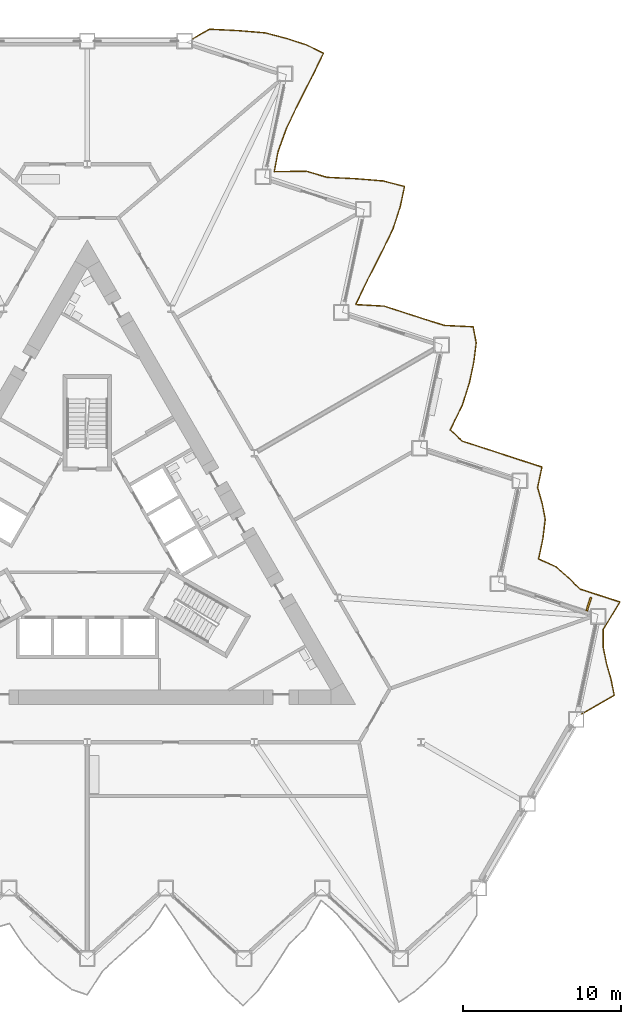
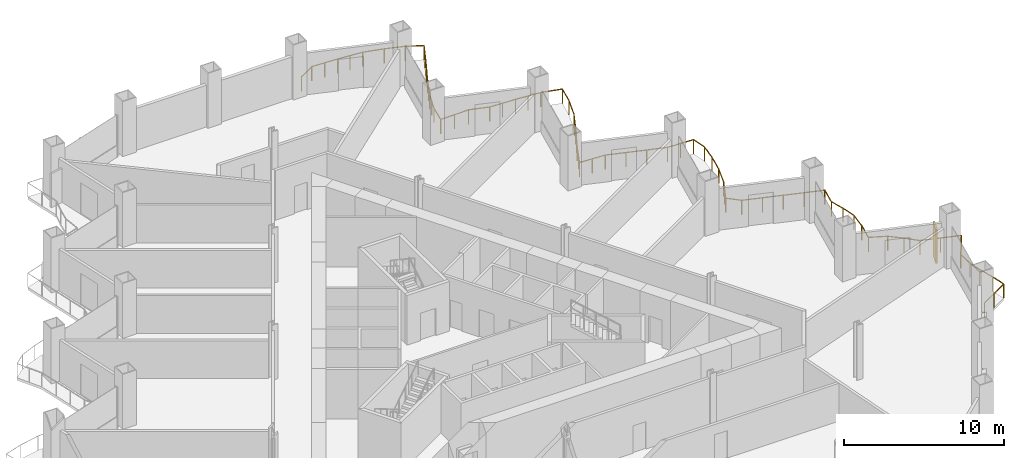
# One storey, part 19 of 21: 1 railing, 1 shading device.
"""IFC4 building model written with IfcOpenShell, lengths in metres."""

from ifc_helpers import new_model, si_unit, direction, frame, origin, origin_2d, place, context, subcontext, project, spatial, rectangle, circle, extrude, material, layer, layer_set, type_object, element, save


model = new_model("IFC4")

# Units and contexts
model_context = context("Model", 3, precision=1e-05, world=origin(), true_north=direction((0.0, 1.0)))
body_context = subcontext(model_context, "Body", "Model", "MODEL_VIEW")
ifc_project = project(units=[si_unit("LENGTHUNIT", "METRE"), si_unit("AREAUNIT", "SQUARE_METRE"), si_unit("VOLUMEUNIT", "CUBIC_METRE"), si_unit("PLANEANGLEUNIT", "RADIAN"), si_unit("MASSUNIT", "GRAM", prefix="KILO")], contexts=[model_context])

# Site, building, storey
site_placement = place(None, origin())
site = spatial("IfcSite", under=ifc_project, at=site_placement, CompositionType="ELEMENT")
building_placement = place(site_placement, origin())
building = spatial("IfcBuilding", under=site, at=building_placement, Name="Cormorant Prow Tower", CompositionType="ELEMENT")
storey_placement = place(building_placement, frame((0.0, 0.0, 80.39990234375)))
storey = spatial("IfcBuildingStorey", under=building, at=storey_placement, Name="L17", CompositionType="ELEMENT", Elevation=80.39990234375)

# Railing
ifc_material_1 = material(Name="Aluminium 6063-T6", Category="aluminium")
railing_type = type_object("IfcRailingType", Name="Balcony guard 1100", PredefinedType="GUARDRAIL", material=ifc_material_1)
railing_placement = place(storey_placement, frame((31.3291015625, -10.435791015625, 0.0)))
element("IfcRailing", 1, at=railing_placement, inside=storey, type_object=railing_type, Name="Balcony guard ENE", PredefinedType="GUARDRAIL", context=body_context, shape_type="SweptSolid", body=[
    extrude(circle(Radius=0.02392578125, at=origin_2d()), frame((0.0, 0.0, 1.076171875), z_axis=(0.866028295127, 0.499994992015, 0.0), x_axis=(-0.499994992015, 0.866028295127, 0.0)), (0.0, 0.0, 1.0), 2.40380859375),
    extrude(circle(Radius=0.02392578125, at=origin_2d()), frame((2.081787109375, 1.201904296875, 1.076171875), z_axis=(-0.198908748449, 0.980018015034, 0.0), x_axis=(-0.980018015034, -0.198908748449, 0.0)), (0.0, 0.0, 1.0), 1.0419921875),
    extrude(circle(Radius=0.02392578125, at=origin_2d()), frame((1.87451171875, 2.22314453125, 1.076171875), z_axis=(-0.277475706579, 0.960732653894, 0.0), x_axis=(-0.960732653894, -0.277475706579, 0.0)), (0.0, 0.0, 1.0), 1.01806640625),
    extrude(circle(Radius=0.02392578125, at=origin_2d()), frame((1.592041015625, 3.201171875, 1.076171875), z_axis=(-0.200171251188, 0.979760925021, 0.0), x_axis=(-0.979760925021, -0.200171251188, 0.0)), (0.0, 0.0, 1.0), 1.04150390625),
    extrude(circle(Radius=0.02392578125, at=origin_2d()), frame((1.383544921875, 4.2216796875, 1.076171875), z_axis=(-0.004720977432, 0.999988856124, 0.0), x_axis=(-0.999988856124, -0.004720977432, 0.0)), (0.0, 0.0, 1.0), 1.1376953125),
    extrude(circle(Radius=0.02392578125, at=origin_2d()), frame((1.378173828125, 5.359375, 1.076171875), z_axis=(0.517541068075, 0.855658368074, 0.0), x_axis=(-0.855658368074, 0.517541068075, 0.0)), (0.0, 0.0, 1.0), 2.04931640625),
    extrude(circle(Radius=0.02392578125, at=origin_2d()), frame((2.438720703125, 7.11279296875, 1.076171875), z_axis=(-0.951043514724, 0.309057006233, 0.0), x_axis=(-0.309057006233, -0.951043514724, 0.0)), (0.0, 0.0, 1.0), 1.32958984375),
    extrude(circle(Radius=0.02392578125, at=origin_2d()), frame((1.17431640625, 7.523681640625, 1.076171875), z_axis=(-0.951061050214, 0.30900304006, 0.0), x_axis=(-0.30900304006, -0.951061050214, 0.0)), (0.0, 0.0, 1.0), 1.329833984375),
    extrude(circle(Radius=0.02392578125, at=origin_2d()), frame((-0.09033203125, 7.9345703125, 1.076171875), z_axis=(-0.717371019466, 0.69669133799, 0.0), x_axis=(-0.69669133799, -0.717371019466, 0.0)), (0.0, 0.0, 1.0), 1.027099609375),
    extrude(circle(Radius=0.02392578125, at=origin_2d()), frame((-0.8271484375, 8.650146484375, 1.076171875), z_axis=(-0.746748818819, 0.665106158138, 0.0), x_axis=(-0.665106158138, -0.746748818819, 0.0)), (0.0, 0.0, 1.0), 1.04052734375),
    extrude(circle(Radius=0.02392578125, at=origin_2d()), frame((-1.604248046875, 9.34228515625, 1.076171875), z_axis=(-0.911925256082, 0.410356341877, 0.0), x_axis=(-0.410356341877, -0.911925256082, 0.0)), (0.0, 0.0, 1.0), 1.2177734375),
    extrude(circle(Radius=0.02392578125, at=origin_2d()), frame((-2.71484375, 9.842041015625, 1.076171875), z_axis=(0.208036630987, 0.978121035541, 0.0), x_axis=(-0.978121035541, 0.208036630987, 0.0)), (0.0, 0.0, 1.0), 1.32958984375),
    extrude(circle(Radius=0.02392578125, at=origin_2d()), frame((-2.438232421875, 11.142578125, 1.076171875), z_axis=(0.118115347532, 0.992999881509, 0.0), x_axis=(-0.992999881509, 0.118115347532, 0.0)), (0.0, 0.0, 1.0), 1.23388671875),
    extrude(circle(Radius=0.02392578125, at=origin_2d()), frame((-2.29248046875, 12.367919921875, 1.076171875), z_axis=(-0.193641917356, 0.981072274526, 0.0), x_axis=(-0.981072274526, -0.193641917356, 0.0)), (0.0, 0.0, 1.0), 1.0439453125),
    extrude(circle(Radius=0.02392578125, at=origin_2d()), frame((-2.49462890625, 13.39208984375, 1.076171875), z_axis=(-0.277539652821, 0.960714182841, 0.0), x_axis=(-0.960714182841, -0.277539652821, 0.0)), (0.0, 0.0, 1.0), 1.017822265625),
    extrude(circle(Radius=0.02392578125, at=origin_2d()), frame((-2.777099609375, 14.369873046875, 1.076171875), z_axis=(0.207232499737, 0.978291720834, 0.0), x_axis=(-0.978291720834, 0.207232499737, 0.0)), (0.0, 0.0, 1.0), 1.328857421875),
    extrude(circle(Radius=0.02392578125, at=origin_2d()), frame((-2.501708984375, 15.669921875, 1.076171875), z_axis=(-0.951043514724, 0.309057006233, 0.0), x_axis=(-0.309057006233, -0.951043514724, 0.0)), (0.0, 0.0, 1.0), 1.32958984375),
    extrude(circle(Radius=0.02392578125, at=origin_2d()), frame((-3.76611328125, 16.080810546875, 1.076171875), z_axis=(-0.951061050214, 0.30900304006, 0.0), x_axis=(-0.30900304006, -0.951061050214, 0.0)), (0.0, 0.0, 1.0), 1.329833984375),
    extrude(circle(Radius=0.02392578125, at=origin_2d()), frame((-5.03076171875, 16.49169921875, 1.076171875), z_axis=(-0.951061050214, 0.30900304006, 0.0), x_axis=(-0.30900304006, -0.951061050214, 0.0)), (0.0, 0.0, 1.0), 1.329833984375),
    extrude(circle(Radius=0.02392578125, at=origin_2d()), frame((-6.29541015625, 16.902587890625, 1.076171875), z_axis=(-0.951097478382, 0.308890897594, 0.0), x_axis=(-0.308890897594, -0.951097478382, 0.0)), (0.0, 0.0, 1.0), 1.329345703125),
    extrude(circle(Radius=0.02392578125, at=origin_2d()), frame((-7.559814453125, 17.313232421875, 1.076171875), z_axis=(-0.731023839437, 0.682351922526, 0.0), x_axis=(-0.682351922526, -0.731023839437, 0.0)), (0.0, 0.0, 1.0), 1.033203125),
    extrude(circle(Radius=0.02392578125, at=origin_2d()), frame((-8.315185546875, 18.018310546875, 1.076171875), z_axis=(0.436535384225, 0.899687089115, 0.0), x_axis=(-0.899687089115, 0.436535384225, 0.0)), (0.0, 0.0, 1.0), 1.76123046875),
    extrude(circle(Radius=0.02392578125, at=origin_2d()), frame((-7.54638671875, 19.602783203125, 1.076171875), z_axis=(0.302860020499, 0.953035050763, 0.0), x_axis=(-0.953035050763, 0.302860020499, 0.0)), (0.0, 0.0, 1.0), 1.46630859375),
    extrude(circle(Radius=0.02392578125, at=origin_2d()), frame((-7.102294921875, 21.000244140625, 1.076171875), z_axis=(0.207860951936, 0.978158384241, 0.0), x_axis=(-0.978158384241, 0.207860951936, 0.0)), (0.0, 0.0, 1.0), 1.32958984375),
    extrude(circle(Radius=0.02392578125, at=origin_2d()), frame((-6.825927734375, 22.30078125, 1.076171875), z_axis=(0.127852937059, 0.991793136942, 0.0), x_axis=(-0.991793136942, 0.127852937059, 0.0)), (0.0, 0.0, 1.0), 1.2431640625),
    extrude(circle(Radius=0.02392578125, at=origin_2d()), frame((-6.6669921875, 23.53369140625, 1.076171875), z_axis=(-0.188388479426, 0.98209458853, 0.0), x_axis=(-0.98209458853, -0.188388479426, 0.0)), (0.0, 0.0, 1.0), 1.0458984375),
    extrude(circle(Radius=0.02392578125, at=origin_2d()), frame((-6.864013671875, 24.560791015625, 1.076171875), z_axis=(-0.998826913271, 0.048423107353, 0.0), x_axis=(-0.048423107353, -0.998826913271, 0.0)), (0.0, 0.0, 1.0), 1.8251953125),
    extrude(circle(Radius=0.02392578125, at=origin_2d()), frame((-8.68701171875, 24.649169921875, 1.076171875), z_axis=(-0.954879659628, 0.296992989192, 0.0), x_axis=(-0.296992989192, -0.954879659628, 0.0)), (0.0, 0.0, 1.0), 1.344970703125),
    extrude(circle(Radius=0.02392578125, at=origin_2d()), frame((-9.97119140625, 25.048583984375, 1.076171875), z_axis=(-0.951043514724, 0.309057006233, 0.0), x_axis=(-0.309057006233, -0.951043514724, 0.0)), (0.0, 0.0, 1.0), 1.32958984375),
    extrude(circle(Radius=0.02392578125, at=origin_2d()), frame((-11.235595703125, 25.45947265625, 1.076171875), z_axis=(-0.951061050214, 0.30900304006, 0.0), x_axis=(-0.30900304006, -0.951061050214, 0.0)), (0.0, 0.0, 1.0), 1.329833984375),
    extrude(circle(Radius=0.02392578125, at=origin_2d()), frame((-12.500244140625, 25.870361328125, 1.076171875), z_axis=(-0.998462432525, 0.055432579192, 0.0), x_axis=(-0.055432579192, -0.998462432525, 0.0)), (0.0, 0.0, 1.0), 1.8056640625),
    extrude(circle(Radius=0.02392578125, at=origin_2d()), frame((-14.30322265625, 25.970458984375, 1.076171875), z_axis=(0.429285653176, 0.903168770484, 0.0), x_axis=(-0.903168770484, 0.429285653176, 0.0)), (0.0, 0.0, 1.0), 1.74072265625),
    extrude(circle(Radius=0.02392578125, at=origin_2d()), frame((-13.555908203125, 27.542724609375, 1.076171875), z_axis=(0.457351035124, 0.889286247881, 0.0), x_axis=(-0.889286247881, 0.457351035124, 0.0)), (0.0, 0.0, 1.0), 1.8251953125),
    extrude(circle(Radius=0.02392578125, at=origin_2d()), frame((-12.72119140625, 29.165771484375, 1.076171875), z_axis=(0.437952229279, 0.898998245198, 0.0), x_axis=(-0.898998245198, 0.437952229279, 0.0)), (0.0, 0.0, 1.0), 1.765380859375),
    extrude(circle(Radius=0.02392578125, at=origin_2d()), frame((-11.947998046875, 30.7529296875, 1.076171875), z_axis=(0.309829124823, 0.950792255654, 0.0), x_axis=(-0.950792255654, 0.309829124823, 0.0)), (0.0, 0.0, 1.0), 1.478271484375),
    extrude(circle(Radius=0.02392578125, at=origin_2d()), frame((-11.489990234375, 32.158447265625, 1.076171875), z_axis=(0.208036630987, 0.978121035541, 0.0), x_axis=(-0.978121035541, 0.208036630987, 0.0)), (0.0, 0.0, 1.0), 1.32958984375),
    extrude(circle(Radius=0.02392578125, at=origin_2d()), frame((-11.21337890625, 33.458984375, 1.076171875), z_axis=(-0.96874480465, 0.248059475656, 0.0), x_axis=(-0.248059475656, -0.96874480465, 0.0)), (0.0, 0.0, 1.0), 1.413330078125),
    extrude(circle(Radius=0.02392578125, at=origin_2d()), frame((-12.58251953125, 33.8095703125, 1.076171875), z_axis=(-0.996734854111, 0.080744229517, 0.0), x_axis=(-0.080744229517, -0.996734854111, 0.0)), (0.0, 0.0, 1.0), 1.738525390625),
    extrude(circle(Radius=0.02392578125, at=origin_2d()), frame((-14.3154296875, 33.949951171875, 1.076171875), z_axis=(-0.998819803639, 0.048569536332, 0.0), x_axis=(-0.048569536332, -0.998819803639, 0.0)), (0.0, 0.0, 1.0), 1.82470703125),
    extrude(circle(Radius=0.02392578125, at=origin_2d()), frame((-16.137939453125, 34.03857421875, 1.076171875), z_axis=(-0.958210932338, 0.286062596554, 0.0), x_axis=(-0.286062596554, -0.958210932338, 0.0)), (0.0, 0.0, 1.0), 1.359619140625),
    extrude(circle(Radius=0.02392578125, at=origin_2d()), frame((-17.440673828125, 34.427490234375, 1.076171875), z_axis=(-0.999874289422, -0.015855767204, 0.0), x_axis=(0.015855767204, -0.999874289422, 0.0)), (0.0, 0.0, 1.0), 2.032470703125),
    extrude(circle(Radius=0.02392578125, at=origin_2d()), frame((-19.472900390625, 34.395263671875, 1.076171875), z_axis=(0.186638964407, 0.982428570923, 0.0), x_axis=(-0.982428570923, 0.186638964407, 0.0)), (0.0, 0.0, 1.0), 1.30419921875),
    extrude(circle(Radius=0.02392578125, at=origin_2d()), frame((-19.2294921875, 35.676513671875, 1.076171875), z_axis=(0.342074570085, 0.939672809281, 0.0), x_axis=(-0.939672809281, 0.342074570085, 0.0)), (0.0, 0.0, 1.0), 1.537353515625),
    extrude(circle(Radius=0.02392578125, at=origin_2d()), frame((-18.70361328125, 37.12109375, 1.076171875), z_axis=(0.427475740136, 0.904026820175, 0.0), x_axis=(-0.904026820175, 0.427475740136, 0.0)), (0.0, 0.0, 1.0), 1.736328125),
    extrude(circle(Radius=0.02392578125, at=origin_2d()), frame((-17.96142578125, 38.690673828125, 1.076171875), z_axis=(0.457196798991, 0.889365553073, 0.0), x_axis=(-0.889365553073, 0.457196798991, 0.0)), (0.0, 0.0, 1.0), 1.82421875),
    extrude(circle(Radius=0.02392578125, at=origin_2d()), frame((-17.12744140625, 40.31298828125, 1.076171875), z_axis=(0.439306608909, 0.898337188014, 0.0), x_axis=(-0.898337188014, 0.439306608909, 0.0)), (0.0, 0.0, 1.0), 1.77001953125),
    extrude(circle(Radius=0.02392578125, at=origin_2d()), frame((-16.349853515625, 41.903076171875, 1.076171875), z_axis=(-0.897887336001, 0.44022531941, 0.0), x_axis=(-0.44022531941, -0.897887336001, 0.0)), (0.0, 0.0, 1.0), 1.190185546875),
    extrude(circle(Radius=0.02392578125, at=origin_2d()), frame((-17.41845703125, 42.427001953125, 1.076171875), z_axis=(-0.951043514724, 0.309057006233, 0.0), x_axis=(-0.309057006233, -0.951043514724, 0.0)), (0.0, 0.0, 1.0), 1.32958984375),
    extrude(circle(Radius=0.02392578125, at=origin_2d()), frame((-18.682861328125, 42.837890625, 1.076171875), z_axis=(-0.966950432285, 0.254964431839, 0.0), x_axis=(-0.254964431839, -0.966950432285, 0.0)), (0.0, 0.0, 1.0), 1.40283203125),
    extrude(circle(Radius=0.02392578125, at=origin_2d()), frame((-20.039306640625, 43.195556640625, 1.076171875), z_axis=(-0.996565156823, 0.082812367469, 0.0), x_axis=(-0.082812367469, -0.996565156823, 0.0)), (0.0, 0.0, 1.0), 1.7333984375),
    extrude(circle(Radius=0.02392578125, at=origin_2d()), frame((-21.766845703125, 43.339111328125, 1.076171875), z_axis=(-0.998805828318, 0.048856087823, 0.0), x_axis=(-0.048856087823, -0.998805828318, 0.0)), (0.0, 0.0, 1.0), 1.823974609375),
    extrude(circle(Radius=0.02392578125, at=origin_2d()), frame((-23.588623046875, 43.42822265625, 1.076171875), z_axis=(-0.86604962328, -0.499958048256, 0.0), x_axis=(0.499958048256, -0.86604962328, 0.0)), (0.0, 0.0, 1.0), 1.28564453125),
    extrude(circle(Radius=0.02099609375, at=origin_2d()), origin(), (0.0, 0.0, 1.0), 1.052001953125),
    extrude(circle(Radius=0.02099609375, at=origin_2d()), frame((1.041015625, 0.60107421875, 0.0)), (0.0, 0.0, 1.0), 1.052001953125),
    extrude(circle(Radius=0.02099609375, at=origin_2d()), frame((2.081787109375, 1.201904296875, 0.0)), (0.0, 0.0, 1.0), 1.052001953125),
    extrude(circle(Radius=0.02099609375, at=origin_2d()), frame((1.87451171875, 2.22314453125, 0.0)), (0.0, 0.0, 1.0), 1.052001953125),
    extrude(circle(Radius=0.02099609375, at=origin_2d()), frame((1.592041015625, 3.201171875, 0.0)), (0.0, 0.0, 1.0), 1.052001953125),
    extrude(circle(Radius=0.02099609375, at=origin_2d()), frame((1.383544921875, 4.2216796875, 0.0)), (0.0, 0.0, 1.0), 1.052001953125),
    extrude(circle(Radius=0.02099609375, at=origin_2d()), frame((1.378173828125, 5.359375, 0.0)), (0.0, 0.0, 1.0), 1.052001953125),
    extrude(circle(Radius=0.02099609375, at=origin_2d()), frame((1.908447265625, 6.236083984375, 0.0)), (0.0, 0.0, 1.0), 1.052001953125),
    extrude(circle(Radius=0.02099609375, at=origin_2d()), frame((2.438720703125, 7.11279296875, 0.0)), (0.0, 0.0, 1.0), 1.052001953125),
    extrude(circle(Radius=0.02099609375, at=origin_2d()), frame((1.17431640625, 7.523681640625, 0.0)), (0.0, 0.0, 1.0), 1.052001953125),
    extrude(circle(Radius=0.02099609375, at=origin_2d()), frame((-0.09033203125, 7.9345703125, 0.0)), (0.0, 0.0, 1.0), 1.052001953125),
    extrude(circle(Radius=0.02099609375, at=origin_2d()), frame((-0.8271484375, 8.650146484375, 0.0)), (0.0, 0.0, 1.0), 1.052001953125),
    extrude(circle(Radius=0.02099609375, at=origin_2d()), frame((-1.604248046875, 9.34228515625, 0.0)), (0.0, 0.0, 1.0), 1.052001953125),
    extrude(circle(Radius=0.02099609375, at=origin_2d()), frame((-2.71484375, 9.842041015625, 0.0)), (0.0, 0.0, 1.0), 1.052001953125),
    extrude(circle(Radius=0.02099609375, at=origin_2d()), frame((-2.438232421875, 11.142578125, 0.0)), (0.0, 0.0, 1.0), 1.052001953125),
    extrude(circle(Radius=0.02099609375, at=origin_2d()), frame((-2.29248046875, 12.367919921875, 0.0)), (0.0, 0.0, 1.0), 1.052001953125),
    extrude(circle(Radius=0.02099609375, at=origin_2d()), frame((-2.49462890625, 13.39208984375, 0.0)), (0.0, 0.0, 1.0), 1.052001953125),
    extrude(circle(Radius=0.02099609375, at=origin_2d()), frame((-2.777099609375, 14.369873046875, 0.0)), (0.0, 0.0, 1.0), 1.052001953125),
    extrude(circle(Radius=0.02099609375, at=origin_2d()), frame((-2.501708984375, 15.669921875, 0.0)), (0.0, 0.0, 1.0), 1.052001953125),
    extrude(circle(Radius=0.02099609375, at=origin_2d()), frame((-3.76611328125, 16.080810546875, 0.0)), (0.0, 0.0, 1.0), 1.052001953125),
    extrude(circle(Radius=0.02099609375, at=origin_2d()), frame((-5.03076171875, 16.49169921875, 0.0)), (0.0, 0.0, 1.0), 1.052001953125),
    extrude(circle(Radius=0.02099609375, at=origin_2d()), frame((-6.29541015625, 16.902587890625, 0.0)), (0.0, 0.0, 1.0), 1.052001953125),
    extrude(circle(Radius=0.02099609375, at=origin_2d()), frame((-7.559814453125, 17.313232421875, 0.0)), (0.0, 0.0, 1.0), 1.052001953125),
    extrude(circle(Radius=0.02099609375, at=origin_2d()), frame((-8.315185546875, 18.018310546875, 0.0)), (0.0, 0.0, 1.0), 1.052001953125),
    extrude(circle(Radius=0.02099609375, at=origin_2d()), frame((-7.9306640625, 18.810546875, 0.0)), (0.0, 0.0, 1.0), 1.052001953125),
    extrude(circle(Radius=0.02099609375, at=origin_2d()), frame((-7.54638671875, 19.602783203125, 0.0)), (0.0, 0.0, 1.0), 1.052001953125),
    extrude(circle(Radius=0.02099609375, at=origin_2d()), frame((-7.102294921875, 21.000244140625, 0.0)), (0.0, 0.0, 1.0), 1.052001953125),
    extrude(circle(Radius=0.02099609375, at=origin_2d()), frame((-6.825927734375, 22.30078125, 0.0)), (0.0, 0.0, 1.0), 1.052001953125),
    extrude(circle(Radius=0.02099609375, at=origin_2d()), frame((-6.6669921875, 23.53369140625, 0.0)), (0.0, 0.0, 1.0), 1.052001953125),
    extrude(circle(Radius=0.02099609375, at=origin_2d()), frame((-6.864013671875, 24.560791015625, 0.0)), (0.0, 0.0, 1.0), 1.052001953125),
    extrude(circle(Radius=0.02099609375, at=origin_2d()), frame((-7.775390625, 24.60498046875, 0.0)), (0.0, 0.0, 1.0), 1.052001953125),
    extrude(circle(Radius=0.02099609375, at=origin_2d()), frame((-8.68701171875, 24.649169921875, 0.0)), (0.0, 0.0, 1.0), 1.052001953125),
    extrude(circle(Radius=0.02099609375, at=origin_2d()), frame((-9.97119140625, 25.048583984375, 0.0)), (0.0, 0.0, 1.0), 1.052001953125),
    extrude(circle(Radius=0.02099609375, at=origin_2d()), frame((-11.235595703125, 25.45947265625, 0.0)), (0.0, 0.0, 1.0), 1.052001953125),
    extrude(circle(Radius=0.02099609375, at=origin_2d()), frame((-12.500244140625, 25.870361328125, 0.0)), (0.0, 0.0, 1.0), 1.052001953125),
    extrude(circle(Radius=0.02099609375, at=origin_2d()), frame((-13.40185546875, 25.92041015625, 0.0)), (0.0, 0.0, 1.0), 1.052001953125),
    extrude(circle(Radius=0.02099609375, at=origin_2d()), frame((-14.30322265625, 25.970458984375, 0.0)), (0.0, 0.0, 1.0), 1.052001953125),
    extrude(circle(Radius=0.02099609375, at=origin_2d()), frame((-13.9296875, 26.756591796875, 0.0)), (0.0, 0.0, 1.0), 1.052001953125),
    extrude(circle(Radius=0.02099609375, at=origin_2d()), frame((-13.555908203125, 27.542724609375, 0.0)), (0.0, 0.0, 1.0), 1.052001953125),
    extrude(circle(Radius=0.02099609375, at=origin_2d()), frame((-13.138671875, 28.354248046875, 0.0)), (0.0, 0.0, 1.0), 1.052001953125),
    extrude(circle(Radius=0.02099609375, at=origin_2d()), frame((-12.72119140625, 29.165771484375, 0.0)), (0.0, 0.0, 1.0), 1.052001953125),
    extrude(circle(Radius=0.02099609375, at=origin_2d()), frame((-12.33447265625, 29.95947265625, 0.0)), (0.0, 0.0, 1.0), 1.052001953125),
    extrude(circle(Radius=0.02099609375, at=origin_2d()), frame((-11.947998046875, 30.7529296875, 0.0)), (0.0, 0.0, 1.0), 1.052001953125),
    extrude(circle(Radius=0.02099609375, at=origin_2d()), frame((-11.489990234375, 32.158447265625, 0.0)), (0.0, 0.0, 1.0), 1.052001953125),
    extrude(circle(Radius=0.02099609375, at=origin_2d()), frame((-11.21337890625, 33.458984375, 0.0)), (0.0, 0.0, 1.0), 1.052001953125),
    extrude(circle(Radius=0.02099609375, at=origin_2d()), frame((-12.58251953125, 33.8095703125, 0.0)), (0.0, 0.0, 1.0), 1.052001953125),
    extrude(circle(Radius=0.02099609375, at=origin_2d()), frame((-13.448974609375, 33.8798828125, 0.0)), (0.0, 0.0, 1.0), 1.052001953125),
    extrude(circle(Radius=0.02099609375, at=origin_2d()), frame((-14.3154296875, 33.949951171875, 0.0)), (0.0, 0.0, 1.0), 1.052001953125),
    extrude(circle(Radius=0.02099609375, at=origin_2d()), frame((-15.2265625, 33.994140625, 0.0)), (0.0, 0.0, 1.0), 1.052001953125),
    extrude(circle(Radius=0.02099609375, at=origin_2d()), frame((-16.137939453125, 34.03857421875, 0.0)), (0.0, 0.0, 1.0), 1.052001953125),
    extrude(circle(Radius=0.02099609375, at=origin_2d()), frame((-17.440673828125, 34.427490234375, 0.0)), (0.0, 0.0, 1.0), 1.052001953125),
    extrude(circle(Radius=0.02099609375, at=origin_2d()), frame((-18.456787109375, 34.411376953125, 0.0)), (0.0, 0.0, 1.0), 1.052001953125),
    extrude(circle(Radius=0.02099609375, at=origin_2d()), frame((-19.472900390625, 34.395263671875, 0.0)), (0.0, 0.0, 1.0), 1.052001953125),
    extrude(circle(Radius=0.02099609375, at=origin_2d()), frame((-19.2294921875, 35.676513671875, 0.0)), (0.0, 0.0, 1.0), 1.052001953125),
    extrude(circle(Radius=0.02099609375, at=origin_2d()), frame((-18.966552734375, 36.39892578125, 0.0)), (0.0, 0.0, 1.0), 1.052001953125),
    extrude(circle(Radius=0.02099609375, at=origin_2d()), frame((-18.70361328125, 37.12109375, 0.0)), (0.0, 0.0, 1.0), 1.052001953125),
    extrude(circle(Radius=0.02099609375, at=origin_2d()), frame((-18.33251953125, 37.90576171875, 0.0)), (0.0, 0.0, 1.0), 1.052001953125),
    extrude(circle(Radius=0.02099609375, at=origin_2d()), frame((-17.96142578125, 38.690673828125, 0.0)), (0.0, 0.0, 1.0), 1.052001953125),
    extrude(circle(Radius=0.02099609375, at=origin_2d()), frame((-17.54443359375, 39.501953125, 0.0)), (0.0, 0.0, 1.0), 1.052001953125),
    extrude(circle(Radius=0.02099609375, at=origin_2d()), frame((-17.12744140625, 40.31298828125, 0.0)), (0.0, 0.0, 1.0), 1.052001953125),
    extrude(circle(Radius=0.02099609375, at=origin_2d()), frame((-16.73876953125, 41.10791015625, 0.0)), (0.0, 0.0, 1.0), 1.052001953125),
    extrude(circle(Radius=0.02099609375, at=origin_2d()), frame((-16.349853515625, 41.903076171875, 0.0)), (0.0, 0.0, 1.0), 1.052001953125),
    extrude(circle(Radius=0.02099609375, at=origin_2d()), frame((-17.41845703125, 42.427001953125, 0.0)), (0.0, 0.0, 1.0), 1.052001953125),
    extrude(circle(Radius=0.02099609375, at=origin_2d()), frame((-18.682861328125, 42.837890625, 0.0)), (0.0, 0.0, 1.0), 1.052001953125),
    extrude(circle(Radius=0.02099609375, at=origin_2d()), frame((-20.039306640625, 43.195556640625, 0.0)), (0.0, 0.0, 1.0), 1.052001953125),
    extrude(circle(Radius=0.02099609375, at=origin_2d()), frame((-20.903076171875, 43.267333984375, 0.0)), (0.0, 0.0, 1.0), 1.052001953125),
    extrude(circle(Radius=0.02099609375, at=origin_2d()), frame((-21.766845703125, 43.339111328125, 0.0)), (0.0, 0.0, 1.0), 1.052001953125),
    extrude(circle(Radius=0.02099609375, at=origin_2d()), frame((-22.677734375, 43.3837890625, 0.0)), (0.0, 0.0, 1.0), 1.052001953125),
    extrude(circle(Radius=0.02099609375, at=origin_2d()), frame((-23.588623046875, 43.42822265625, 0.0)), (0.0, 0.0, 1.0), 1.052001953125),
    extrude(circle(Radius=0.02099609375, at=origin_2d()), frame((-24.7021484375, 42.785400390625, 0.0)), (0.0, 0.0, 1.0), 1.052001953125),
])

# Shading device
ifc_material_2 = material(Name="Terracotta", Category="masonry")
ifc_layer = layer(ifc_material_2, 0.1201171875)
ifc_layer_set = layer_set([ifc_layer], Name="Terracotta")
shading_device_type = type_object("IfcShadingDeviceType", Name="Terracotta baguette fin 120x900x2600", PredefinedType="USERDEFINED", material=ifc_layer_set)
shading_device_placement = place(storey_placement, frame((31.795654296875, -3.459228515625, 0.0), z_axis=(0.0, 0.0, 1.0), x_axis=(-0.951056545862, 0.309016903379, 0.0)))
element("IfcShadingDevice", 2, at=shading_device_placement, inside=storey, type_object=shading_device_type, Name="Baguette fin ENE01", ObjectType="BAGUETTE", PredefinedType="USERDEFINED", context=body_context, shape_type="SweptSolid", body=[
    extrude(rectangle(XDim=0.1201171875, YDim=0.89990234375, at=origin_2d()), origin(), (0.0, 0.0, 1.0), 2.60009765625),
])

save(model, "model.ifc")
